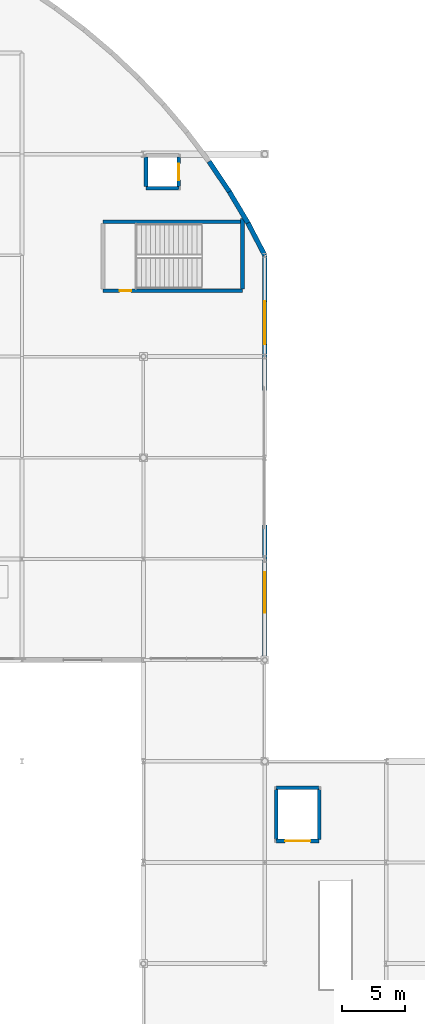
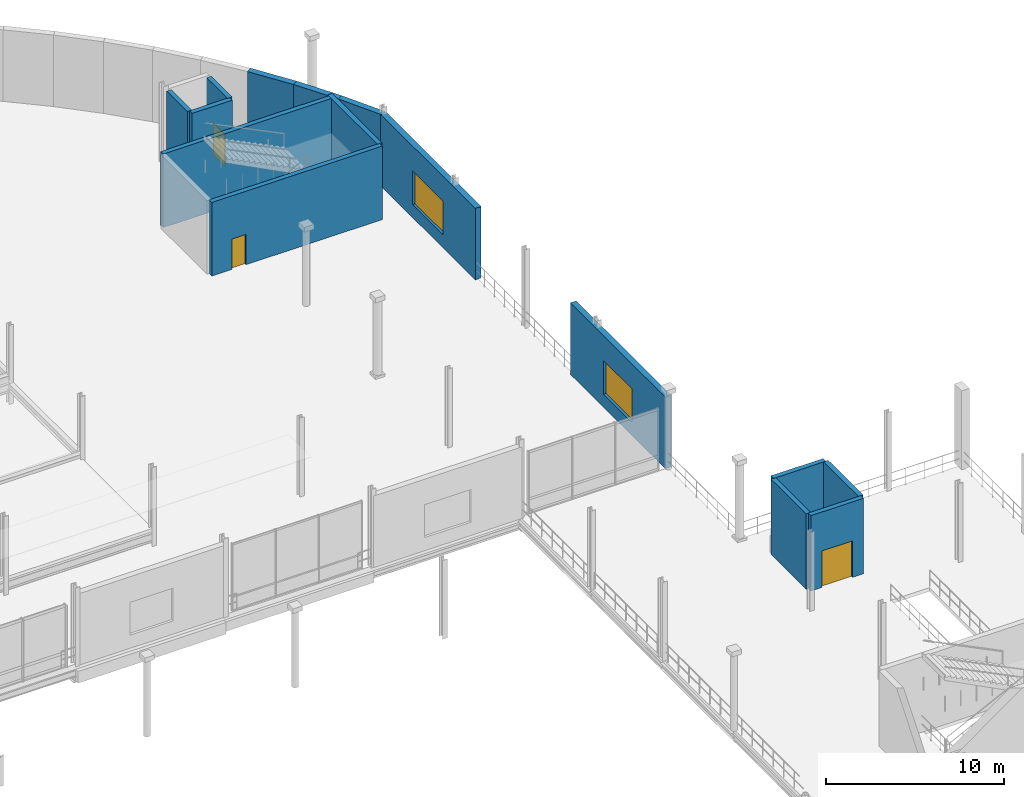
# One storey, part 84 of 129: 15 walls, 3 doors, 2 windows, 5 openings.
"""IFC4 building model written with IfcOpenShell, lengths in metres."""

from ifc_helpers import new_model, si_unit, direction, frame, frame_2d, origin, place, context, subcontext, project, spatial, rectangle, extrude, material, layer, layer_set, type_object, element, fill, save


model = new_model("IFC4")

# Units and contexts
model_context = context("Model", 3, precision=1e-05, world=origin(), true_north=direction((0.0, 1.0)))
body_context = subcontext(model_context, "Body", "Model", "MODEL_VIEW")
ifc_project = project(units=[si_unit("LENGTHUNIT", "METRE"), si_unit("AREAUNIT", "SQUARE_METRE"), si_unit("VOLUMEUNIT", "CUBIC_METRE"), si_unit("PLANEANGLEUNIT", "RADIAN"), si_unit("MASSUNIT", "GRAM", prefix="KILO")], contexts=[model_context])

# Site, building, storey
site_placement = place(None, origin())
site = spatial("IfcSite", under=ifc_project, at=site_placement, CompositionType="ELEMENT")
building_placement = place(site_placement, origin())
building = spatial("IfcBuilding", under=site, at=building_placement, Name="Danafjord Basin Convention Centre", CompositionType="ELEMENT")
storey_placement = place(building_placement, frame((0.0, 0.0, 6.0)))
storey = spatial("IfcBuildingStorey", under=building, at=storey_placement, Name="L01", CompositionType="ELEMENT", Elevation=6.0)

# Wall, opening, door
ifc_material_1 = material(Name="Concrete C40/50", Category="concrete")
ifc_layer_1 = layer(ifc_material_1, 0.300048828125)
ifc_layer_set_1 = layer_set([ifc_layer_1], Name="Concrete C40/50")
wall_type_1 = type_object("IfcWallType", Name="WALL-CW-CORE300", PredefinedType="SHEAR", material=ifc_layer_set_1)
wall_1_placement = place(storey_placement, frame((188.800048828125, 117.199951171875, 0.0), z_axis=(0.0, 0.0, 1.0), x_axis=(1.0, 0.0, 0.0)))
wall_1 = element("IfcWall", 1, at=wall_1_placement, inside=storey, type_object=wall_type_1, Name="Plenary North-East Core Stair 1 core shear wall (south)", PredefinedType="SHEAR", context=body_context, shape_type="SweptSolid", body=[
    extrude(rectangle(XDim=11.0400390625, YDim=0.300048828125, at=frame_2d((5.52001953125, 0.0))), origin(), (0.0, 0.0, 1.0), 5.0400390625),
])
opening_1_placement = place(wall_1_placement, frame((1.31201171875, 0.0, 0.0)))
opening_1 = element("IfcOpeningElement", 2, at=opening_1_placement, cuts=wall_1, Name="Opening FD-S01", PredefinedType="OPENING", context=body_context, shape_type="SweptSolid", body=[
    extrude(rectangle(XDim=0.909912109375, YDim=2.080078125, at=frame_2d((0.455078125, 1.0400390625))), frame((0.0, 0.159912109375, 0.0), z_axis=(0.0, -1.0, 0.0), x_axis=(1.0, 0.0, 0.0)), (0.0, 0.0, 1.0), 0.320068359375),
])
ifc_material_2 = material(Name="Powder-coated steel and Nordic oak", Category="steel")
door_type_1 = type_object("IfcDoorType", Name="DOOR-FD-S01", OperationType="NOTDEFINED", PredefinedType="DOOR", material=ifc_material_2)
door_1_placement = place(opening_1_placement, origin())
door_1 = element("IfcDoor", 3, at=door_1_placement, inside=storey, type_object=door_type_1, Name="Plenary North-East Core Stair 1 L01 Fire Exit Door", OperationType="SINGLE_SWING_RIGHT", OverallHeight=2.080078125, OverallWidth=0.909912109375, PredefinedType="DOOR", context=body_context, shape_type="SweptSolid", body=[
    extrude(rectangle(XDim=0.909912109375, YDim=2.080078125, at=frame_2d((0.455078125, 1.0400390625))), frame((0.0, 0.02490234375, 0.0), z_axis=(0.0, -1.0, 0.0), x_axis=(1.0, 0.0, 0.0)), (0.0, 0.0, 1.0), 0.050048828125),
])
fill(opening_1, door_1)

# Walls
wall_2_placement = place(storey_placement, frame((199.840087890625, 117.3349609375, 0.0), z_axis=(0.0, 0.0, 1.0), x_axis=(0.0, 1.0, 0.0)))
element("IfcWall", 4, at=wall_2_placement, inside=storey, type_object=wall_type_1, Name="Plenary North-East Core Stair 1 core shear wall (east)", PredefinedType="SHEAR", context=body_context, shape_type="SweptSolid", body=[
    extrude(rectangle(XDim=5.587646484375, YDim=0.300048828125, at=frame_2d((2.7939453125, 0.0))), origin(), (0.0, 0.0, 1.0), 5.0400390625),
])
wall_3_placement = place(storey_placement, frame((199.705078125, 122.659912109375, 0.0), z_axis=(0.0, 0.0, 1.0), x_axis=(-1.0, 0.0, 0.0)))
element("IfcWall", 5, at=wall_3_placement, inside=storey, type_object=wall_type_1, Name="Plenary North-East Core Stair 1 core shear wall (north)", PredefinedType="SHEAR", context=body_context, shape_type="SweptSolid", body=[
    extrude(rectangle(XDim=10.905029296875, YDim=0.300048828125, at=frame_2d((5.45263671875, 0.0))), origin(), (0.0, 0.0, 1.0), 5.0400390625),
])
wall_4_placement = place(storey_placement, frame((192.199951171875, 125.300048828125, 0.0), z_axis=(0.0, 0.0, 1.0), x_axis=(1.0, 0.0, 0.0)))
element("IfcWall", 6, at=wall_4_placement, inside=storey, type_object=wall_type_1, Name="Lift LF-P05 shaft shear wall", PredefinedType="SHEAR", context=body_context, shape_type="SweptSolid", body=[
    extrude(rectangle(XDim=2.60009765625, YDim=0.300048828125, at=frame_2d((1.300048828125, 0.0))), origin(), (0.0, 0.0, 1.0), 5.0400390625),
])

# Wall, opening, door
wall_5_placement = place(storey_placement, frame((194.800048828125, 125.43505859375, 0.0), z_axis=(0.0, 0.0, 1.0), x_axis=(0.0, 1.0, 0.0)))
wall_5 = element("IfcWall", 7, at=wall_5_placement, inside=storey, type_object=wall_type_1, Name="Lift LF-P05 shaft shear wall", PredefinedType="SHEAR", context=body_context, shape_type="SweptSolid", body=[
    extrude(rectangle(XDim=2.329833984375, YDim=0.300048828125, at=frame_2d((1.1650390625, 0.0))), origin(), (0.0, 0.0, 1.0), 5.0400390625),
])
opening_2_placement = place(wall_5_placement, frame((0.514892578125, 0.0, 0.0)))
opening_2 = element("IfcOpeningElement", 8, at=opening_2_placement, cuts=wall_5, Name="Opening LD-P02", PredefinedType="OPENING", context=body_context, shape_type="SweptSolid", body=[
    extrude(rectangle(XDim=1.300048828125, YDim=2.219970703125, at=frame_2d((0.64990234375, 1.10986328125))), frame((0.0, 0.159912109375, 0.0), z_axis=(0.0, -1.0, 0.0), x_axis=(1.0, 0.0, 0.0)), (0.0, 0.0, 1.0), 0.320068359375),
])
ifc_material_3 = material(Name="Brushed stainless steel and acoustic laminated glass", Category="steel")
door_type_2 = type_object("IfcDoorType", Name="DOOR-LD-P02", OperationType="DOUBLE_DOOR_SLIDING", PredefinedType="DOOR", material=ifc_material_3)
door_2_placement = place(opening_2_placement, origin())
door_2 = element("IfcDoor", 9, at=door_2_placement, inside=storey, type_object=door_type_2, Name="Lift LF-P05 L01 Landing Door", OperationType="DOUBLE_DOOR_SLIDING", OverallHeight=2.219970703125, OverallWidth=1.300048828125, PredefinedType="DOOR", context=body_context, shape_type="SweptSolid", body=[
    extrude(rectangle(XDim=1.300048828125, YDim=2.219970703125, at=frame_2d((0.64990234375, 1.10986328125))), frame((0.0, 0.02490234375, 0.0), z_axis=(0.0, -1.0, 0.0), x_axis=(1.0, 0.0, 0.0)), (0.0, 0.0, 1.0), 0.050048828125),
])
fill(opening_2, door_2)

# Walls
wall_6_placement = place(storey_placement, frame((192.199951171875, 127.764892578125, 0.0), z_axis=(0.0, 0.0, 1.0), x_axis=(0.0, -1.0, 0.0)))
element("IfcWall", 10, at=wall_6_placement, inside=storey, type_object=wall_type_1, Name="Lift LF-P05 shaft shear wall", PredefinedType="SHEAR", context=body_context, shape_type="SweptSolid", body=[
    extrude(rectangle(XDim=2.329833984375, YDim=0.300048828125, at=frame_2d((1.1650390625, 0.0))), origin(), (0.0, 0.0, 1.0), 5.0400390625),
])
wall_7_placement = place(storey_placement, frame((205.89990234375, 77.89990234375, 0.0), z_axis=(0.0, 0.0, 1.0), x_axis=(-1.0, 0.0, 0.0)))
element("IfcWall", 11, at=wall_7_placement, inside=storey, type_object=wall_type_1, Name="Lift LF-G02 shaft shear wall", PredefinedType="SHEAR", context=body_context, shape_type="SweptSolid", body=[
    extrude(rectangle(XDim=3.39990234375, YDim=0.300048828125, at=frame_2d((1.699951171875, 0.0))), origin(), (0.0, 0.0, 1.0), 5.169921875),
])

# Wall, opening, door
wall_8_placement = place(storey_placement, frame((202.5, 73.699951171875, 0.0), z_axis=(0.0, 0.0, 1.0), x_axis=(1.0, 0.0, 0.0)))
wall_8 = element("IfcWall", 12, at=wall_8_placement, inside=storey, type_object=wall_type_1, Name="Lift LF-G02 shaft shear wall", PredefinedType="SHEAR", context=body_context, shape_type="SweptSolid", body=[
    extrude(rectangle(XDim=3.39990234375, YDim=0.300048828125, at=frame_2d((1.699951171875, 0.0))), origin(), (0.0, 0.0, 1.0), 5.169921875),
])
opening_3_placement = place(wall_8_placement, frame((0.699951171875, 0.0, 0.0)))
opening_3 = element("IfcOpeningElement", 13, at=opening_3_placement, cuts=wall_8, Name="Opening LD-G01", PredefinedType="OPENING", context=body_context, shape_type="SweptSolid", body=[
    extrude(rectangle(XDim=2.0, YDim=2.5, at=frame_2d((1.0, 1.25))), frame((0.0, 0.159912109375, 0.0), z_axis=(0.0, -1.0, 0.0), x_axis=(1.0, 0.0, 0.0)), (0.0, 0.0, 1.0), 0.320068359375),
])
door_type_3 = type_object("IfcDoorType", Name="DOOR-LD-G01", OperationType="DOUBLE_DOOR_SLIDING", PredefinedType="DOOR", material=ifc_material_3)
door_3_placement = place(opening_3_placement, origin())
door_3 = element("IfcDoor", 14, at=door_3_placement, inside=storey, type_object=door_type_3, Name="Lift LF-G02 L01 Landing Door", OperationType="DOUBLE_DOOR_SLIDING", OverallHeight=2.5, OverallWidth=2.0, PredefinedType="DOOR", context=body_context, shape_type="SweptSolid", body=[
    extrude(rectangle(XDim=2.0, YDim=2.5, at=frame_2d((1.0, 1.25))), frame((0.0, 0.02490234375, 0.0), z_axis=(0.0, -1.0, 0.0), x_axis=(1.0, 0.0, 0.0)), (0.0, 0.0, 1.0), 0.050048828125),
])
fill(opening_3, door_3)

# Walls
for number, where, z_axis, x_axis, name in (
    (15, (205.89990234375, 73.8349609375, 0.0), (0.0, 0.0, 1.0), (0.0, 1.0, 0.0), "Lift LF-G02 shaft shear wall"),
    (16, (202.5, 77.764892578125, 0.0), (0.0, 0.0, 1.0), (0.0, -1.0, 0.0), "Lift LF-G02 shaft shear wall"),
):
    element("IfcWall", number, at=place(storey_placement, frame(where, z_axis=z_axis, x_axis=x_axis)), inside=storey, type_object=wall_type_1, Name=name, PredefinedType="SHEAR", context=body_context, shape_type="SweptSolid", body=[
        extrude(rectangle(XDim=3.929931640625, YDim=0.300048828125, at=frame_2d((1.96484375, 0.0))), origin(), (0.0, 0.0, 1.0), 5.169921875),
    ])

# Wall, opening, window
ifc_material_4 = material(Name="Precast concrete C45/55", Category="concrete")
ifc_layer_2 = layer(ifc_material_4, 0.3798828125)
ifc_layer_set_2 = layer_set([ifc_layer_2], Name="Precast concrete C45/55")
wall_type_2 = type_object("IfcWallType", Name="WALL-EW-PC380", PredefinedType="SOLIDWALL", material=ifc_layer_set_2)
wall_9_placement = place(storey_placement, frame((201.60009765625, 88.0, 0.0), z_axis=(0.0, 0.0, 1.0), x_axis=(0.0, 1.0, 0.0)))
wall_9 = element("IfcWall", 17, at=wall_9_placement, inside=storey, type_object=wall_type_2, Name="L01 plenary drum precast facet wall", PredefinedType="SOLIDWALL", context=body_context, shape_type="SweptSolid", body=[
    extrude(rectangle(XDim=10.6669921875, YDim=0.3798828125, at=frame_2d((5.33349609375, 0.0))), origin(), (0.0, 0.0, 1.0), 4.89990234375),
])
opening_4_placement = place(wall_9_placement, frame((3.73388671875, 0.0, 0.89990234375)))
opening_4 = element("IfcOpeningElement", 18, at=opening_4_placement, cuts=wall_9, Name="Opening WN-11", PredefinedType="OPENING", context=body_context, shape_type="SweptSolid", body=[
    extrude(rectangle(XDim=3.199951171875, YDim=2.300048828125, at=frame_2d((1.60009765625, 1.14990234375))), frame((0.0, 0.199951171875, 0.0), z_axis=(0.0, -1.0, 0.0), x_axis=(1.0, 0.0, 0.0)), (0.0, 0.0, 1.0), 0.39990234375),
])
ifc_material_5 = material(Name="Thermally broken aluminium and triple low-E glass", Category="aluminium")
window_type_1 = type_object("IfcWindowType", Name="WIN-WN-11", PartitioningType="SINGLE_PANEL", PredefinedType="WINDOW", material=ifc_material_5)
window_1_placement = place(opening_4_placement, origin())
window_1 = element("IfcWindow", 19, at=window_1_placement, inside=storey, type_object=window_type_1, Name="L01 plenary drum window WN-11", OverallHeight=2.300048828125, OverallWidth=3.199951171875, PartitioningType="SINGLE_PANEL", PredefinedType="WINDOW", context=body_context, shape_type="SweptSolid", body=[
    extrude(rectangle(XDim=3.199951171875, YDim=2.300048828125, at=frame_2d((1.60009765625, 1.14990234375))), frame((0.0, 0.030029296875, 0.0), z_axis=(0.0, -1.0, 0.0), x_axis=(1.0, 0.0, 0.0)), (0.0, 0.0, 1.0), 0.06005859375),
])
fill(opening_4, window_1)

wall_10_placement = place(storey_placement, frame((201.60009765625, 109.3330078125, 0.0), z_axis=(0.0, 0.0, 1.0), x_axis=(0.0, 1.0, 0.0)))
wall_10 = element("IfcWall", 20, at=wall_10_placement, inside=storey, type_object=wall_type_2, Name="L01 plenary drum precast facet wall", PredefinedType="SOLIDWALL", context=body_context, shape_type="SweptSolid", body=[
    extrude(rectangle(XDim=10.6669921875, YDim=0.3798828125, at=frame_2d((5.33349609375, 0.0))), origin(), (0.0, 0.0, 1.0), 4.89990234375),
])
opening_5_placement = place(wall_10_placement, frame((3.634033203125, 0.0, 0.89990234375)))
opening_5 = element("IfcOpeningElement", 21, at=opening_5_placement, cuts=wall_10, Name="Opening WN-12", PredefinedType="OPENING", context=body_context, shape_type="SweptSolid", body=[
    extrude(rectangle(XDim=3.39990234375, YDim=2.300048828125, at=frame_2d((1.699951171875, 1.14990234375))), frame((0.0, 0.199951171875, 0.0), z_axis=(0.0, -1.0, 0.0), x_axis=(1.0, 0.0, 0.0)), (0.0, 0.0, 1.0), 0.39990234375),
])
window_type_2 = type_object("IfcWindowType", Name="WIN-WN-12", PartitioningType="SINGLE_PANEL", PredefinedType="WINDOW", material=ifc_material_5)
window_2_placement = place(opening_5_placement, origin())
window_2 = element("IfcWindow", 22, at=window_2_placement, inside=storey, type_object=window_type_2, Name="L01 plenary drum window WN-12", OverallHeight=2.300048828125, OverallWidth=3.39990234375, PartitioningType="SINGLE_PANEL", PredefinedType="WINDOW", context=body_context, shape_type="SweptSolid", body=[
    extrude(rectangle(XDim=3.39990234375, YDim=2.300048828125, at=frame_2d((1.699951171875, 1.14990234375))), frame((0.0, 0.030029296875, 0.0), z_axis=(0.0, -1.0, 0.0), x_axis=(1.0, 0.0, 0.0)), (0.0, 0.0, 1.0), 0.06005859375),
])
fill(opening_5, window_2)

# Walls
wall_11_placement = place(storey_placement, frame((201.60009765625, 120.0, 0.0), z_axis=(0.0, 0.0, 1.0), x_axis=(-0.462438550367, 0.886651333465, 0.0)))
element("IfcWall", 23, at=wall_11_placement, inside=storey, type_object=wall_type_2, Name="L01 plenary drum precast facet wall", PredefinedType="SOLIDWALL", context=body_context, shape_type="SweptSolid", body=[
    extrude(rectangle(XDim=2.88037109375, YDim=0.3798828125, at=frame_2d((1.440185546875, 0.0))), origin(), (0.0, 0.0, 1.0), 4.89990234375),
])
wall_12_placement = place(storey_placement, frame((200.2783203125, 122.536865234375, 0.0), z_axis=(0.0, 0.0, 1.0), x_axis=(-0.510616534419, 0.859808557051, 0.0)))
element("IfcWall", 24, at=wall_12_placement, inside=storey, type_object=wall_type_2, Name="L01 plenary drum precast facet wall", PredefinedType="SOLIDWALL", context=body_context, shape_type="SweptSolid", body=[
    extrude(rectangle(XDim=2.90087890625, YDim=0.3798828125, at=frame_2d((1.450439453125, 0.0))), origin(), (0.0, 0.0, 1.0), 4.89990234375),
])
wall_13_placement = place(storey_placement, frame((198.797119140625, 125.031005859375, 0.0), z_axis=(0.0, 0.0, 1.0), x_axis=(-0.55768775085, 0.830050825282, 0.0)))
element("IfcWall", 25, at=wall_13_placement, inside=storey, type_object=wall_type_2, Name="L01 plenary drum precast facet wall", PredefinedType="SOLIDWALL", context=body_context, shape_type="SweptSolid", body=[
    extrude(rectangle(XDim=2.8818359375, YDim=0.3798828125, at=frame_2d((1.44091796875, 0.0))), origin(), (0.0, 0.0, 1.0), 4.89990234375),
])

save(model, "model.ifc")
